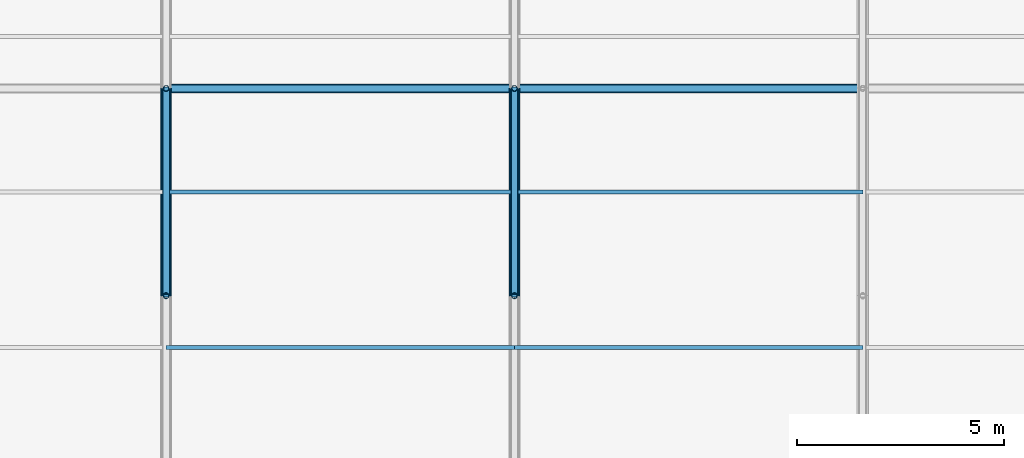
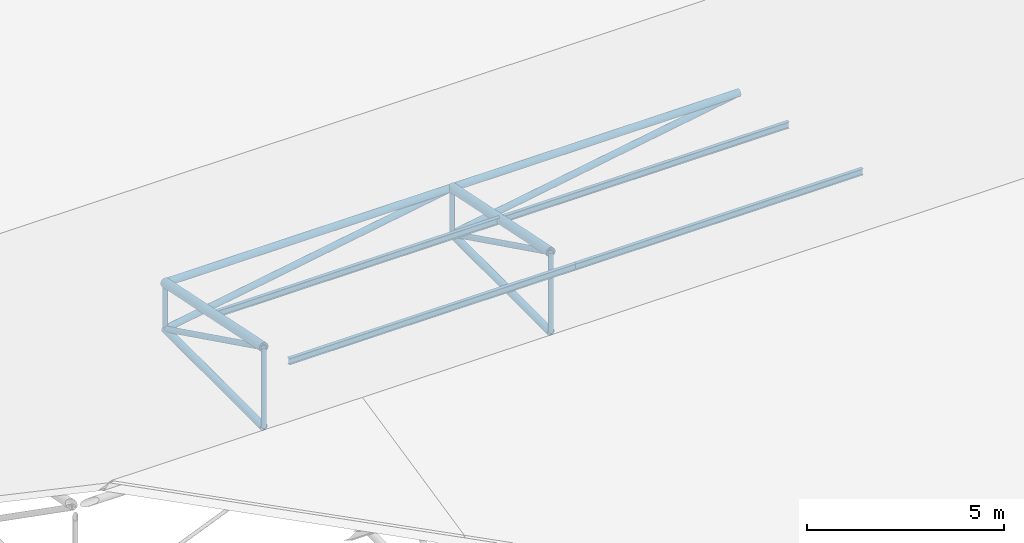
# One storey, part 78 of 194: 14 members, 4 beams.
"""IFC4 building model written with IfcOpenShell, lengths in metres."""

from ifc_helpers import new_model, si_unit, direction, frame, origin, origin_2d, place, context, subcontext, project, spatial, hollow_circle, i_section, extrude, material, material_profile, profile_set, type_object, element, save


model = new_model("IFC4")

# Units and contexts
model_context = context("Model", 3, precision=1e-05, world=origin(), true_north=direction((0.0, 1.0)))
body_context = subcontext(model_context, "Body", "Model", "MODEL_VIEW")
ifc_project = project(units=[si_unit("LENGTHUNIT", "METRE"), si_unit("AREAUNIT", "SQUARE_METRE"), si_unit("VOLUMEUNIT", "CUBIC_METRE"), si_unit("PLANEANGLEUNIT", "RADIAN"), si_unit("MASSUNIT", "GRAM", prefix="KILO")], contexts=[model_context])

# Site, building, storey
site_placement = place(None, origin())
site = spatial("IfcSite", under=ifc_project, at=site_placement, CompositionType="ELEMENT")
building_placement = place(site_placement, origin())
building = spatial("IfcBuilding", under=site, at=building_placement, Name="Kazenagashi Tramway Depot", CompositionType="ELEMENT")
storey_placement = place(building_placement, frame((0.0, 0.0, 23.7)))
storey = spatial("IfcBuildingStorey", under=building, at=storey_placement, Name="ROOF", CompositionType="ELEMENT", Elevation=23.7)

# Beams
ifc_material_1 = material(Name="Steel SN400B", Category="steel")
ifc_material_profile_1 = material_profile(ifc_material_1, i_section(OverallWidth=0.1, OverallDepth=0.2, WebThickness=0.0055, FlangeThickness=0.008, at=origin_2d()), Name="H-200x100x5.5x8")
ifc_profile_set_1 = profile_set([ifc_material_profile_1], Name="Steel SN400B")
beam_type = type_object("IfcBeamType", Name="PR-01", PredefinedType="USERDEFINED", material=ifc_profile_set_1)
for number, where, z_axis, x_axis, name in (
    (1, (145.6, 88.75, -11.305), (1.0, 0.0, 0.0), (0.0, 1.0, 0.0), "Beam PR-01 BM-2084"),
    (2, (154.0, 88.75, -11.305), (1.0, 0.0, 0.0), (0.0, 1.0, 0.0), "Beam PR-01 BM-2085"),
    (3, (145.6, 92.5, -12.13), (1.0, 0.0, 0.0), (0.0, 1.0, 0.0), "Beam PR-01 BM-2102"),
    (4, (154.0, 92.5, -12.13), (1.0, 0.0, 0.0), (0.0, 1.0, 0.0), "Beam PR-01 BM-2103"),
):
    element("IfcBeam", number, at=place(storey_placement, frame(where, z_axis=z_axis, x_axis=x_axis)), inside=storey, type_object=beam_type, Name=name, ObjectType="PURLIN", PredefinedType="USERDEFINED", context=body_context, shape_type="SweptSolid", body=[
        extrude(i_section(OverallWidth=0.1, OverallDepth=0.2, WebThickness=0.0055, FlangeThickness=0.008, at=origin_2d()), origin(), (0.0, 0.0, 1.0), 8.4),
    ])

# Members
ifc_material_2 = material(Name="Steel STK490", Category="steel")
ifc_material_profile_2 = material_profile(ifc_material_2, hollow_circle(Radius=0.1337, WallThickness=0.0093, at=origin_2d()), Name="CHS-267.4x9.3")
ifc_profile_set_2 = profile_set([ifc_material_profile_2], Name="Steel STK490")
member_type_1 = type_object("IfcMemberType", Name="TC-01", PredefinedType="CHORD", material=ifc_profile_set_2)
for number, where, z_axis, x_axis, name in (
    (5, (145.6, 90.0, -11.633), (0.0, 0.979279174591, -0.202514933305), (-1.0, 0.0, 0.0), "Tubular Space Frame TC-01 MEM-0745"),
    (6, (154.0, 90.0, -11.633), (0.0, 0.979279174591, -0.202514933305), (-1.0, 0.0, 0.0), "Tubular Space Frame TC-01 MEM-0806"),
):
    element("IfcMember", number, at=place(storey_placement, frame(where, z_axis=z_axis, x_axis=x_axis)), inside=storey, type_object=member_type_1, Name=name, PredefinedType="CHORD", context=body_context, shape_type="SweptSolid", body=[
        extrude(hollow_circle(Radius=0.1337, WallThickness=0.0093, at=origin_2d()), origin(), (0.0, 0.0, 1.0), 5.105796),
    ])
ifc_material_profile_3 = material_profile(ifc_material_2, hollow_circle(Radius=0.10815, WallThickness=0.0082, at=origin_2d()), Name="CHS-216.3x8.2")
ifc_profile_set_3 = profile_set([ifc_material_profile_3], Name="Steel STK490")
member_type_2 = type_object("IfcMemberType", Name="TC-02", PredefinedType="CHORD", material=ifc_profile_set_3)
member_1_placement = place(storey_placement, frame((145.6, 90.0, -14.1), z_axis=(0.0, 1.0, 0.0), x_axis=(-1.0, 0.0, 0.0)))
element("IfcMember", 7, at=member_1_placement, inside=storey, type_object=member_type_2, Name="Tubular Space Frame TC-02 MEM-0746", PredefinedType="CHORD", context=body_context, shape_type="SweptSolid", body=[
    extrude(hollow_circle(Radius=0.10815, WallThickness=0.0082, at=origin_2d()), origin(), (0.0, 0.0, 1.0), 5.0),
])
member_2_placement = place(storey_placement, frame((145.6, 95.0, -12.667), z_axis=(1.0, 0.0, 0.0), x_axis=(0.0, 1.0, 0.0)))
element("IfcMember", 8, at=member_2_placement, inside=storey, type_object=member_type_2, Name="Tubular Space Frame TC-02 MEM-0762", PredefinedType="CHORD", context=body_context, shape_type="SweptSolid", body=[
    extrude(hollow_circle(Radius=0.10815, WallThickness=0.0082, at=origin_2d()), origin(), (0.0, 0.0, 1.0), 8.4),
])
member_3_placement = place(storey_placement, frame((154.0, 90.0, -14.1), z_axis=(0.0, 1.0, 0.0), x_axis=(-1.0, 0.0, 0.0)))
element("IfcMember", 9, at=member_3_placement, inside=storey, type_object=member_type_2, Name="Tubular Space Frame TC-02 MEM-0807", PredefinedType="CHORD", context=body_context, shape_type="SweptSolid", body=[
    extrude(hollow_circle(Radius=0.10815, WallThickness=0.0082, at=origin_2d()), origin(), (0.0, 0.0, 1.0), 5.0),
])
member_4_placement = place(storey_placement, frame((154.0, 95.0, -12.667), z_axis=(1.0, 0.0, 0.0), x_axis=(0.0, 1.0, 0.0)))
element("IfcMember", 10, at=member_4_placement, inside=storey, type_object=member_type_2, Name="Tubular Space Frame TC-02 MEM-0823", PredefinedType="CHORD", context=body_context, shape_type="SweptSolid", body=[
    extrude(hollow_circle(Radius=0.10815, WallThickness=0.0082, at=origin_2d()), origin(), (0.0, 0.0, 1.0), 8.4),
])
ifc_material_profile_4 = material_profile(ifc_material_2, hollow_circle(Radius=0.0826, WallThickness=0.0071, at=origin_2d()), Name="CHS-165.2x7.1")
ifc_profile_set_4 = profile_set([ifc_material_profile_4], Name="Steel STK490")
member_type_3 = type_object("IfcMemberType", Name="TS-01", PredefinedType="STRUT", material=ifc_profile_set_4)
for number, where, z_axis, x_axis, name in (
    (11, (145.6, 90.0, -11.633), (0.0, 0.896782162482, -0.442472318969), (-1.0, 0.0, 0.0), "Tubular Space Frame TS-01 MEM-0747"),
    (12, (154.0, 90.0, -11.633), (0.0, 0.896782162482, -0.442472318969), (-1.0, 0.0, 0.0), "Tubular Space Frame TS-01 MEM-0808"),
):
    element("IfcMember", number, at=place(storey_placement, frame(where, z_axis=z_axis, x_axis=x_axis)), inside=storey, type_object=member_type_3, Name=name, PredefinedType="STRUT", context=body_context, shape_type="SweptSolid", body=[
        extrude(hollow_circle(Radius=0.0826, WallThickness=0.0071, at=origin_2d()), origin(), (0.0, 0.0, 1.0), 5.57549),
    ])
ifc_material_profile_5 = material_profile(ifc_material_2, hollow_circle(Radius=0.0699, WallThickness=0.0066, at=origin_2d()), Name="CHS-139.8x6.6")
ifc_profile_set_5 = profile_set([ifc_material_profile_5], Name="Steel STK490")
member_type_4 = type_object("IfcMemberType", Name="TS-02", PredefinedType="STRUT", material=ifc_profile_set_5)
member_5_placement = place(storey_placement, frame((145.6, 90.0, -14.1), z_axis=(0.0, 0.0, 1.0), x_axis=(1.0, 0.0, 0.0)))
element("IfcMember", 13, at=member_5_placement, inside=storey, type_object=member_type_4, Name="Tubular Space Frame TS-02 MEM-0755", PredefinedType="STRUT", context=body_context, shape_type="SweptSolid", body=[
    extrude(hollow_circle(Radius=0.0699, WallThickness=0.0066, at=origin_2d()), origin(), (0.0, 0.0, 1.0), 2.467),
])
member_6_placement = place(storey_placement, frame((145.6, 95.0, -14.1), z_axis=(0.0, 0.0, 1.0), x_axis=(1.0, 0.0, 0.0)))
element("IfcMember", 14, at=member_6_placement, inside=storey, type_object=member_type_4, Name="Tubular Space Frame TS-02 MEM-0756", PredefinedType="STRUT", context=body_context, shape_type="SweptSolid", body=[
    extrude(hollow_circle(Radius=0.0699, WallThickness=0.0066, at=origin_2d()), origin(), (0.0, 0.0, 1.0), 1.433),
])
member_7_placement = place(storey_placement, frame((154.0, 90.0, -14.1), z_axis=(0.0, 0.0, 1.0), x_axis=(1.0, 0.0, 0.0)))
element("IfcMember", 15, at=member_7_placement, inside=storey, type_object=member_type_4, Name="Tubular Space Frame TS-02 MEM-0816", PredefinedType="STRUT", context=body_context, shape_type="SweptSolid", body=[
    extrude(hollow_circle(Radius=0.0699, WallThickness=0.0066, at=origin_2d()), origin(), (0.0, 0.0, 1.0), 2.467),
])
member_8_placement = place(storey_placement, frame((154.0, 95.0, -14.1), z_axis=(0.0, 0.0, 1.0), x_axis=(1.0, 0.0, 0.0)))
element("IfcMember", 16, at=member_8_placement, inside=storey, type_object=member_type_4, Name="Tubular Space Frame TS-02 MEM-0817", PredefinedType="STRUT", context=body_context, shape_type="SweptSolid", body=[
    extrude(hollow_circle(Radius=0.0699, WallThickness=0.0066, at=origin_2d()), origin(), (0.0, 0.0, 1.0), 1.433),
])
ifc_material_profile_6 = material_profile(ifc_material_2, hollow_circle(Radius=0.09535, WallThickness=0.007, at=origin_2d()), Name="CHS-190.7x7.0")
ifc_profile_set_6 = profile_set([ifc_material_profile_6], Name="Steel STK490")
member_type_5 = type_object("IfcMemberType", Name="TS-05", PredefinedType="STRUT", material=ifc_profile_set_6)
for number, where, z_axis, x_axis, name in (
    (17, (145.6, 95.0, -14.1), (0.985758734117, 0.0, 0.168165745951), (0.0, 1.0, 0.0), "Tubular Space Frame TS-05 MEM-0763"),
    (18, (154.0, 95.0, -14.1), (0.985758734117, 0.0, 0.168165745951), (0.0, 1.0, 0.0), "Tubular Space Frame TS-05 MEM-0824"),
):
    element("IfcMember", number, at=place(storey_placement, frame(where, z_axis=z_axis, x_axis=x_axis)), inside=storey, type_object=member_type_5, Name=name, PredefinedType="STRUT", context=body_context, shape_type="SweptSolid", body=[
        extrude(hollow_circle(Radius=0.09535, WallThickness=0.007, at=origin_2d()), origin(), (0.0, 0.0, 1.0), 8.521355),
    ])

save(model, "model.ifc")
